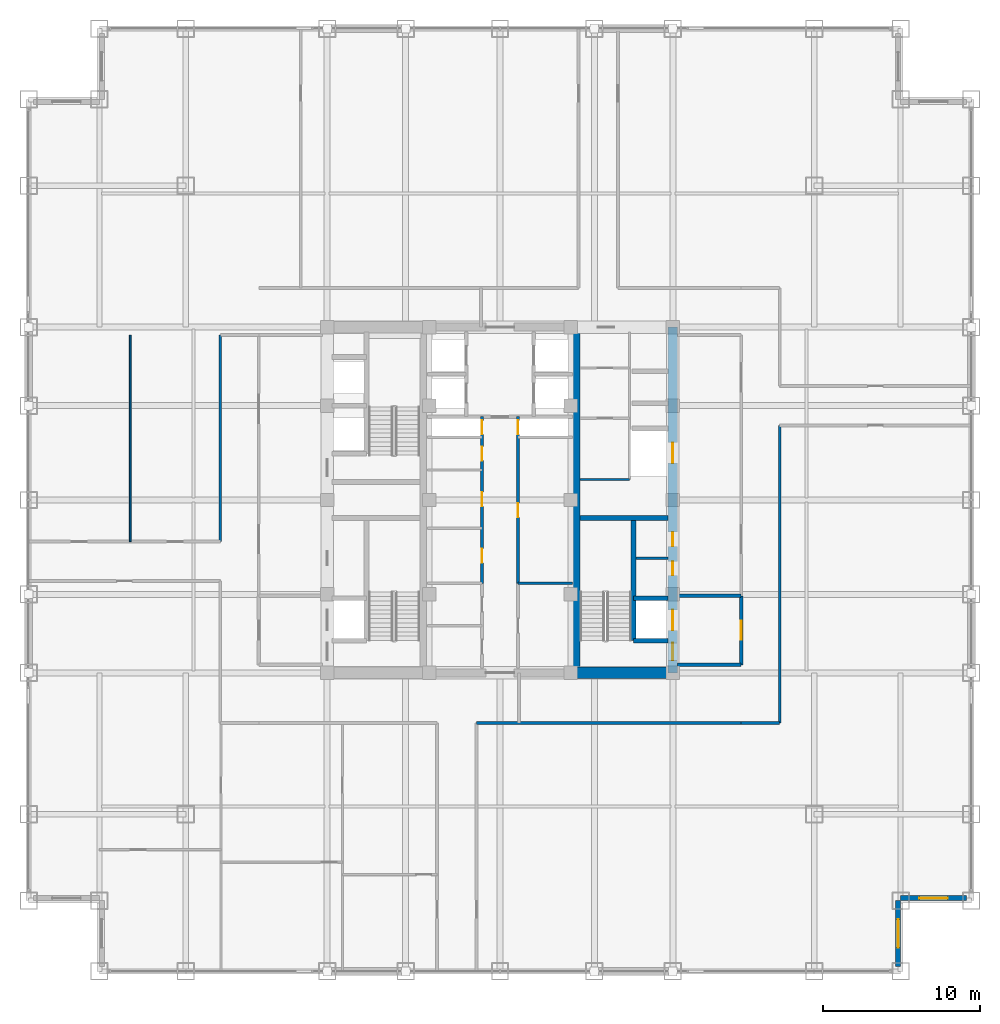
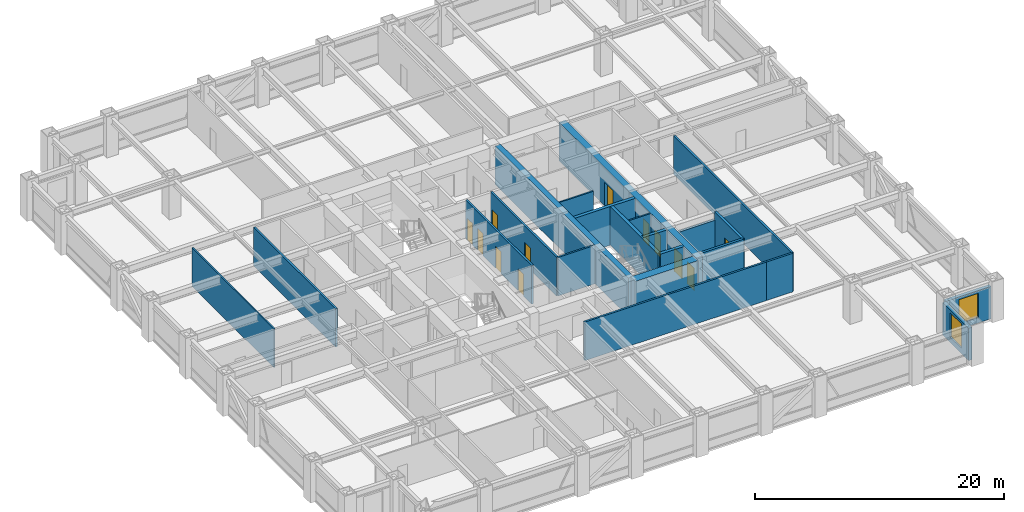
# One storey, part 21 of 24: 22 walls, 12 doors, 2 windows, 14 openings.
"""IFC4 building model written with IfcOpenShell, lengths in metres."""

import ifcopenshell
import ifcopenshell.guid

model = None  # the IFC model being written
_history = None  # IfcOwnerHistory: only IFC2X3 demands one
_inside = {}  # id of a spatial element -> (the spatial element, [elements in it])
_under = {}  # id of a project, library or spatial element -> (it, [spatial elements below it])
_declared = {}  # id of a project -> (the project, [libraries it declares])
_typed = {}  # id of a type object -> (the type object, [elements of that type])
_made_of = {}  # id of a material, layer set ... -> (it, [elements and type objects made of it])


def new_model(schema):
    """Start an empty IFC model of exactly this schema.

    Asked for "IFC4X3", IfcOpenShell would pick the latest addendum, in which some entities
    have other attributes; the version numbers below select the first issue.
    IFC2X3 requires an IfcOwnerHistory on every rooted entity: one is made here for all.
    """
    global model, _history
    if schema == "IFC4X3":
        model = ifcopenshell.file(schema_version=(4, 3, 0, 0))
    else:
        model = ifcopenshell.file(schema=schema)
    _inside.clear()
    _under.clear()
    _declared.clear()
    _typed.clear()
    _made_of.clear()
    _history = None
    if model.schema == "IFC2X3":
        org = make("IfcOrganization", Name="unknown")
        user = make(
            "IfcPersonAndOrganization",
            ThePerson=make("IfcPerson", FamilyName="unknown"),
            TheOrganization=org,
        )
        app = make(
            "IfcApplication",
            ApplicationDeveloper=org,
            Version="unknown",
            ApplicationFullName="unknown",
            ApplicationIdentifier="unknown",
        )
        _history = make(
            "IfcOwnerHistory",
            OwningUser=user,
            OwningApplication=app,
            ChangeAction="ADDED",
            CreationDate=0,
        )
    return model


def make(cls, **values):
    """One entity of the class cls with the attributes given. An attribute that is None is left unset."""
    return model.create_entity(
        cls, **{name: value for name, value in values.items() if value is not None}
    )


def rooted(cls, **values):
    """An entity with a GlobalId (a new one), such as an element, a storey or a relation."""
    return make(cls, GlobalId=ifcopenshell.guid.new(), OwnerHistory=_history, **values)


def si_unit(unit_type, name, prefix=None):
    """IfcSIUnit, for example si_unit("LENGTHUNIT", "METRE", prefix="MILLI")."""
    return make("IfcSIUnit", UnitType=unit_type, Prefix=prefix, Name=name)


def assignment(units):
    """IfcUnitAssignment: the units of a project."""
    return None if units is None else make("IfcUnitAssignment", Units=units)


def point(xyz):
    """IfcCartesianPoint."""
    return None if xyz is None else make("IfcCartesianPoint", Coordinates=xyz)


def direction(xyz):
    """IfcDirection."""
    return None if xyz is None else make("IfcDirection", DirectionRatios=xyz)


def frame(location, z_axis=None, x_axis=None):
    """IfcAxis2Placement3D, a coordinate frame: its origin and axes. An axis left out is left unset."""
    return make(
        "IfcAxis2Placement3D",
        Location=point(location),
        Axis=direction(z_axis),
        RefDirection=direction(x_axis),
    )


def frame_2d(location, x_axis=None):
    """IfcAxis2Placement2D, a coordinate frame in the plane: its origin and x axis."""
    return make(
        "IfcAxis2Placement2D", Location=point(location), RefDirection=direction(x_axis)
    )


def origin():
    """The frame at (0, 0, 0) with its axes left unset."""
    return frame((0.0, 0.0, 0.0))


def place(relative_to, where):
    """IfcLocalPlacement: puts the frame where relative to a parent placement (None: the world)."""
    return make(
        "IfcLocalPlacement", PlacementRelTo=relative_to, RelativePlacement=where
    )


def context(
    kind, dimensions, precision=None, world=None, true_north=None, identifier=None
):
    """IfcGeometricRepresentationContext, for example the 3D "Model" context."""
    return make(
        "IfcGeometricRepresentationContext",
        ContextIdentifier=identifier,
        ContextType=kind,
        CoordinateSpaceDimension=dimensions,
        Precision=precision,
        WorldCoordinateSystem=world,
        TrueNorth=true_north,
    )


def subcontext(parent, identifier, kind, view, scale=None):
    """IfcGeometricRepresentationSubContext, for example "Body" below "Model"."""
    return make(
        "IfcGeometricRepresentationSubContext",
        ContextIdentifier=identifier,
        ContextType=kind,
        ParentContext=parent,
        TargetScale=scale,
        TargetView=view,
    )


def project(units=None, contexts=None):
    """IfcProject with its units and contexts."""
    return rooted(
        "IfcProject",
        Name="project",
        RepresentationContexts=contexts,
        UnitsInContext=assignment(units),
    )


def spatial(cls, under=None, at=None, **own):
    """A site, building, storey or space (cls), placed at a placement, below another one or the project."""
    s = rooted(cls, ObjectPlacement=at, **own)
    if under is not None:
        _under.setdefault(under.id(), (under, []))[1].append(s)
    return s


def profile(cls, at=None, kind="AREA", **sizes):
    """A parametric profile (cls). Its sizes go by their IFC names, for example OverallWidth=200.0."""
    return make(cls, ProfileType=kind, Position=at, **sizes)


def rectangle(**sizes):
    """IfcRectangleProfileDef."""
    return profile("IfcRectangleProfileDef", **sizes)


def extrude(swept, where, along, depth):
    """IfcExtrudedAreaSolid: the profile swept, set in the frame where, extruded along a direction by depth."""
    return make(
        "IfcExtrudedAreaSolid",
        SweptArea=swept,
        Position=where,
        ExtrudedDirection=direction(along),
        Depth=depth,
    )


def shape(context_of_items, identifier, shape_type, items):
    """IfcShapeRepresentation: the items that make up one representation, for example the "Body"."""
    return make(
        "IfcShapeRepresentation",
        ContextOfItems=context_of_items,
        RepresentationIdentifier=identifier,
        RepresentationType=shape_type,
        Items=items,
    )


def source(mapping_origin, context_of_items, identifier, shape_type, items):
    """IfcRepresentationMap: a shape defined once, which mapped items show again and again."""
    return make(
        "IfcRepresentationMap",
        MappingOrigin=mapping_origin,
        MappedRepresentation=shape(context_of_items, identifier, shape_type, items),
    )


def transform(
    local_origin,
    x_axis=None,
    y_axis=None,
    z_axis=None,
    scale=None,
    scale2=None,
    scale3=None,
    uniform=True,
):
    """IfcCartesianTransformationOperator3D, or its non-uniform kind. x_axis, y_axis, z_axis: its Axis1, 2, 3."""
    if uniform:
        return make(
            "IfcCartesianTransformationOperator3D",
            Axis1=direction(x_axis),
            Axis2=direction(y_axis),
            LocalOrigin=point(local_origin),
            Scale=scale,
            Axis3=direction(z_axis),
        )
    return make(
        "IfcCartesianTransformationOperator3DnonUniform",
        Axis1=direction(x_axis),
        Axis2=direction(y_axis),
        LocalOrigin=point(local_origin),
        Scale=scale,
        Axis3=direction(z_axis),
        Scale2=scale2,
        Scale3=scale3,
    )


def mapped(mapping_source, mapping_target):
    """IfcMappedItem: shows the shape of a source again, moved by a transform."""
    return make(
        "IfcMappedItem", MappingSource=mapping_source, MappingTarget=mapping_target
    )


def material(Name=None, Category=None):
    """IfcMaterial."""
    return make("IfcMaterial", Name=Name, Category=Category)


def layer(
    of_material, thickness, ventilated=None, Name=None, Category=None, Priority=None
):
    """IfcMaterialLayer: one layer of a wall or slab, of a material (None: an air gap)."""
    return make(
        "IfcMaterialLayer",
        Material=of_material,
        LayerThickness=thickness,
        IsVentilated=ventilated,
        Name=Name,
        Category=Category,
        Priority=Priority,
    )


def layer_set(layers, Name=None):
    """IfcMaterialLayerSet."""
    return make("IfcMaterialLayerSet", MaterialLayers=layers, LayerSetName=Name)


def made_of(thing, what):
    """Note that an element or type object is made of a material, layer set ...; save() writes the relation."""
    if what is not None:
        _made_of.setdefault(what.id(), (what, []))[1].append(thing)
    return thing


def type_object(cls, material=None, **own):
    """A type object (cls), such as IfcWallType, which elements share."""
    return made_of(rooted(cls, **own), material)


def element(
    cls,
    number,
    at=None,
    inside=None,
    cuts=None,
    type_object=None,
    material=None,
    context=None,
    identifier="Body",
    shape_type=None,
    held_by="IfcProductDefinitionShape",
    body=None,
    shapes=None,
    **own,
):
    """One element of the class cls, such as IfcWall. Its Tag is "e" and its number.

    at: its placement. inside: the storey or other place that contains it. cuts: it is an
    opening in that element (IfcRelVoidsElement). A single representation is given by context,
    identifier, shape_type and body (its items); several are given by shapes. held_by: the class
    of the entity that holds the representations. save() writes the other relations.
    """
    e = rooted(cls, Tag="e%d" % number, ObjectPlacement=at, **own)
    if body is not None:
        shapes = [shape(context, identifier, shape_type, body)]
    if shapes is not None:
        e.Representation = make(held_by, Representations=shapes)
    if inside is not None:
        _inside.setdefault(inside.id(), (inside, []))[1].append(e)
    if cuts is not None:
        rooted(
            "IfcRelVoidsElement", RelatingBuildingElement=cuts, RelatedOpeningElement=e
        )
    if type_object is not None:
        _typed.setdefault(type_object.id(), (type_object, []))[1].append(e)
    return made_of(e, material)


def fill(opening, filler):
    """IfcRelFillsElement: the door or window that sits in an opening."""
    return rooted(
        "IfcRelFillsElement",
        RelatingOpeningElement=opening,
        RelatedBuildingElement=filler,
    )


def aggregate(whole, parts):
    """IfcRelAggregates: a whole, such as a stair, and the parts it consists of."""
    return rooted("IfcRelAggregates", RelatingObject=whole, RelatedObjects=parts)


def save(model, path):
    """Write the relations noted so far, then the file.

    IfcRelAggregates (storeys below a building ...), IfcRelContainedInSpatialStructure (elements
    in a storey), IfcRelDefinesByType, IfcRelAssociatesMaterial and IfcRelDeclares: one each for
    every whole, place, type object, material and project.
    """
    for whole, parts in _under.values():
        aggregate(whole, parts)
    for where, things in _inside.values():
        rooted(
            "IfcRelContainedInSpatialStructure",
            RelatedElements=things,
            RelatingStructure=where,
        )
    for kind, things in _typed.values():
        rooted("IfcRelDefinesByType", RelatedObjects=things, RelatingType=kind)
    for what, things in _made_of.values():
        rooted("IfcRelAssociatesMaterial", RelatedObjects=things, RelatingMaterial=what)
    for by, libraries in _declared.values():
        rooted("IfcRelDeclares", RelatingContext=by, RelatedDefinitions=libraries)
    model.write(path)


model = new_model("IFC4")

# Units and contexts
model_context = context("Model", 3, precision=1e-05, world=origin(), true_north=direction((0.0, 1.0)))
body_context = subcontext(model_context, "Body", "Model", "MODEL_VIEW")
ifc_project = project(units=[si_unit("LENGTHUNIT", "METRE"), si_unit("AREAUNIT", "SQUARE_METRE"), si_unit("VOLUMEUNIT", "CUBIC_METRE"), si_unit("PLANEANGLEUNIT", "RADIAN"), si_unit("MASSUNIT", "GRAM", prefix="KILO")], contexts=[model_context])

# Site, building, storey
site_placement = place(None, origin())
site = spatial("IfcSite", under=ifc_project, at=site_placement, CompositionType="ELEMENT")
building_placement = place(site_placement, origin())
building = spatial("IfcBuilding", under=site, at=building_placement, Name="Khorayat Bourse Tower", CompositionType="ELEMENT")
storey_placement = place(building_placement, frame((0.0, 0.0, 179.10009765625)))
storey = spatial("IfcBuildingStorey", under=building, at=storey_placement, Name="L41", CompositionType="ELEMENT", Elevation=179.10009765625)

# Wall, openings, doors
ifc_material_1 = material(Name="Concrete C60/75", Category="concrete")
ifc_layer_1 = layer(ifc_material_1, 0.60009765625)
ifc_layer_set_1 = layer_set([ifc_layer_1], Name="Concrete C60/75")
wall_type_1 = type_object("IfcWallType", Name="WAL-CORE-600", PredefinedType="SHEAR", material=ifc_layer_set_1)
shared_shape_1 = source(origin(), body_context, "Body", "SweptSolid", [
    extrude(rectangle(XDim=22.0, YDim=0.60009765625, at=frame_2d((11.0, 0.0))), origin(), (0.0, 0.0, 1.0), 3.77978515625),
])
wall_1_placement = place(storey_placement, frame((11.0, -11.0, 0.0), z_axis=(0.0, 0.0, 1.0), x_axis=(0.0, 1.0, 0.0)))
wall_1 = element("IfcWall", 1, at=wall_1_placement, inside=storey, type_object=wall_type_1, Name="L41 Core Shear Wall CORE-E", PredefinedType="SHEAR", context=body_context, shape_type="MappedRepresentation", body=[
    mapped(shared_shape_1, transform((0.0, 0.0, 0.0), scale=1.0)),
])
shared_shape_2 = source(origin(), body_context, "Body", "SweptSolid", [
    extrude(rectangle(XDim=1.10009765625, YDim=2.199951171875, at=frame_2d((0.550048828125, 1.10009765625))), frame((0.0, 0.31005859375, 0.0), z_axis=(0.0, -1.0, 0.0), x_axis=(1.0, 0.0, 0.0)), (0.0, 0.0, 1.0), 0.6201171875),
])
opening_1_placement = place(wall_1_placement, frame((0.800048828125, 0.0, 0.0)))
opening_1 = element("IfcOpeningElement", 2, at=opening_1_placement, cuts=wall_1, Name="Opening DI-01", PredefinedType="OPENING", context=body_context, shape_type="MappedRepresentation", body=[
    mapped(shared_shape_2, transform((0.0, 0.0, 0.0), scale=1.0)),
])
shared_shape_3 = source(origin(), body_context, "Body", "SweptSolid", [
    extrude(rectangle(XDim=0.89990234375, YDim=2.14990234375, at=frame_2d((0.449951171875, 1.074951171875))), frame((0.0, 0.31005859375, 0.0), z_axis=(0.0, -1.0, 0.0), x_axis=(1.0, 0.0, 0.0)), (0.0, 0.0, 1.0), 0.6201171875),
])
opening_2_placement = place(wall_1_placement, frame((6.199951171875, 0.0, 0.0)))
opening_2 = element("IfcOpeningElement", 3, at=opening_2_placement, cuts=wall_1, Name="Opening DI-06", PredefinedType="OPENING", context=body_context, shape_type="MappedRepresentation", body=[
    mapped(shared_shape_3, transform((0.0, 0.0, 0.0), scale=1.0)),
])
opening_3_placement = place(wall_1_placement, frame((8.050048828125, 0.0, 0.0)))
opening_3 = element("IfcOpeningElement", 4, at=opening_3_placement, cuts=wall_1, Name="Opening DI-06", PredefinedType="OPENING", context=body_context, shape_type="MappedRepresentation", body=[
    mapped(shared_shape_3, transform((0.0, 0.0, 0.0), scale=1.0)),
])
shared_shape_4 = source(origin(), body_context, "Body", "SweptSolid", [
    extrude(rectangle(XDim=1.300048828125, YDim=2.300048828125, at=frame_2d((0.64990234375, 1.14990234375))), frame((0.0, 0.31005859375, 0.0), z_axis=(0.0, -1.0, 0.0), x_axis=(1.0, 0.0, 0.0)), (0.0, 0.0, 1.0), 0.6201171875),
])
opening_4_placement = place(wall_1_placement, frame((2.699951171875, 0.0, 0.0)))
opening_4 = element("IfcOpeningElement", 5, at=opening_4_placement, cuts=wall_1, Name="Opening LD-02", PredefinedType="OPENING", context=body_context, shape_type="MappedRepresentation", body=[
    mapped(shared_shape_4, transform((0.0, 0.0, 0.0), scale=1.0)),
])
opening_5_placement = place(wall_1_placement, frame((13.35009765625, 0.0, 0.0)))
opening_5 = element("IfcOpeningElement", 6, at=opening_5_placement, cuts=wall_1, Name="Opening LD-02", PredefinedType="OPENING", context=body_context, shape_type="MappedRepresentation", body=[
    mapped(shared_shape_4, transform((0.0, 0.0, 0.0), scale=1.0)),
])
ifc_material_2 = material(Name="Fire-rated steel acoustic leaf", Category="steel")
door_type_1 = type_object("IfcDoorType", Name="DR-INT-STAIR-1100", OperationType="NOTDEFINED", PredefinedType="DOOR", material=ifc_material_2)
shared_shape_5 = source(origin(), body_context, "Body", "SweptSolid", [
    extrude(rectangle(XDim=1.10009765625, YDim=2.199951171875, at=frame_2d((0.550048828125, 1.10009765625))), frame((0.0, 0.02490234375, 0.0), z_axis=(0.0, -1.0, 0.0), x_axis=(1.0, 0.0, 0.0)), (0.0, 0.0, 1.0), 0.050048828125),
])
door_1_placement = place(opening_1_placement, origin())
door_1 = element("IfcDoor", 7, at=door_1_placement, inside=storey, type_object=door_type_1, Name="L41 Exit Stair 3 Door", OperationType="SINGLE_SWING_LEFT", OverallHeight=2.199951171875, OverallWidth=1.10009765625, PredefinedType="DOOR", context=body_context, shape_type="MappedRepresentation", body=[
    mapped(shared_shape_5, transform((0.0, 0.0, 0.0), scale=1.0)),
])
fill(opening_1, door_1)
ifc_material_3 = material(Name="Moisture-resistant laminate washroom door")
door_type_2 = type_object("IfcDoorType", Name="DR-INT-WC-900", OperationType="NOTDEFINED", PredefinedType="DOOR", material=ifc_material_3)
shared_shape_6 = source(origin(), body_context, "Body", "SweptSolid", [
    extrude(rectangle(XDim=0.89990234375, YDim=2.14990234375, at=frame_2d((0.449951171875, 1.074951171875))), frame((0.0, 0.02490234375, 0.0), z_axis=(0.0, -1.0, 0.0), x_axis=(1.0, 0.0, 0.0)), (0.0, 0.0, 1.0), 0.050048828125),
])
door_2_placement = place(opening_2_placement, origin())
door_2 = element("IfcDoor", 8, at=door_2_placement, inside=storey, type_object=door_type_2, Name="L41 Comms Closet Door", OperationType="SINGLE_SWING_LEFT", OverallHeight=2.14990234375, OverallWidth=0.89990234375, PredefinedType="DOOR", context=body_context, shape_type="MappedRepresentation", body=[
    mapped(shared_shape_6, transform((0.0, 0.0, 0.0), scale=1.0)),
])
fill(opening_2, door_2)
door_3_placement = place(opening_3_placement, origin())
door_3 = element("IfcDoor", 9, at=door_3_placement, inside=storey, type_object=door_type_2, Name="L41 Cleaner Store Door", OperationType="SINGLE_SWING_RIGHT", OverallHeight=2.14990234375, OverallWidth=0.89990234375, PredefinedType="DOOR", context=body_context, shape_type="MappedRepresentation", body=[
    mapped(shared_shape_6, transform((0.0, 0.0, 0.0), scale=1.0)),
])
fill(opening_3, door_3)
ifc_material_4 = material(Name="Fire-rated stainless-steel sliding landing door", Category="steel")
door_type_3 = type_object("IfcDoorType", Name="DR-LIFT-FF-1300", OperationType="NOTDEFINED", PredefinedType="DOOR", material=ifc_material_4)
shared_shape_7 = source(origin(), body_context, "Body", "SweptSolid", [
    extrude(rectangle(XDim=1.300048828125, YDim=2.300048828125, at=frame_2d((0.64990234375, 1.14990234375))), frame((0.0, 0.02490234375, 0.0), z_axis=(0.0, -1.0, 0.0), x_axis=(1.0, 0.0, 0.0)), (0.0, 0.0, 1.0), 0.050048828125),
])
door_4_placement = place(opening_4_placement, origin())
door_4 = element("IfcDoor", 10, at=door_4_placement, inside=storey, type_object=door_type_3, Name="L41 Lift FFL-02 Sliding Landing Door", OperationType="SLIDING_TO_LEFT", OverallHeight=2.300048828125, OverallWidth=1.300048828125, PredefinedType="DOOR", context=body_context, shape_type="MappedRepresentation", body=[
    mapped(shared_shape_7, transform((0.0, 0.0, 0.0), scale=1.0)),
])
fill(opening_4, door_4)
door_5_placement = place(opening_5_placement, origin())
door_5 = element("IfcDoor", 11, at=door_5_placement, inside=storey, type_object=door_type_3, Name="L41 Lift SVL-01 Sliding Landing Door", OperationType="SLIDING_TO_LEFT", OverallHeight=2.300048828125, OverallWidth=1.300048828125, PredefinedType="DOOR", context=body_context, shape_type="MappedRepresentation", body=[
    mapped(shared_shape_7, transform((0.0, 0.0, 0.0), scale=1.0)),
])
fill(opening_5, door_5)

# Walls
ifc_material_5 = material(Name="Concrete C52/65", Category="concrete")
ifc_layer_2 = layer(ifc_material_5, 0.5)
ifc_layer_set_2 = layer_set([ifc_layer_2], Name="Concrete C52/65")
wall_type_2 = type_object("IfcWallType", Name="WAL-CORE-500", PredefinedType="SHEAR", material=ifc_layer_set_2)
shared_shape_8 = source(origin(), body_context, "Body", "SweptSolid", [
    extrude(rectangle(XDim=21.39990234375, YDim=0.5, at=frame_2d((10.699951171875, 0.0))), origin(), (0.0, 0.0, 1.0), 3.77978515625),
])
wall_2_placement = place(storey_placement, frame((4.85009765625, -10.699951171875, 0.0), z_axis=(0.0, 0.0, 1.0), x_axis=(0.0, 1.0, 0.0)))
element("IfcWall", 12, at=wall_2_placement, inside=storey, type_object=wall_type_2, Name="L41 Core Shear Wall PIER-E", PredefinedType="SHEAR", context=body_context, shape_type="MappedRepresentation", body=[
    mapped(shared_shape_8, transform((0.0, 0.0, 0.0), scale=1.0)),
])
ifc_material_6 = material(Name="Concrete C72/90", Category="concrete")
ifc_layer_3 = layer(ifc_material_6, 0.75)
ifc_layer_set_3 = layer_set([ifc_layer_3], Name="Concrete C72/90")
wall_type_3 = type_object("IfcWallType", Name="WAL-CORE-750", PredefinedType="SHEAR", material=ifc_layer_set_3)
shared_shape_9 = source(origin(), body_context, "Body", "SweptSolid", [
    extrude(rectangle(XDim=5.849853515625, YDim=0.75, at=frame_2d((2.9248046875, 0.0))), origin(), (0.0, 0.0, 1.0), 3.77978515625),
])
wall_3_placement = place(storey_placement, frame((4.85009765625, -11.0, 0.0), z_axis=(0.0, 0.0, 1.0), x_axis=(1.0, 0.0, 0.0)))
element("IfcWall", 13, at=wall_3_placement, inside=storey, type_object=wall_type_3, Name="L41 Core Shear Wall PIER-ES", PredefinedType="SHEAR", context=body_context, shape_type="MappedRepresentation", body=[
    mapped(shared_shape_9, transform((0.0, 0.0, 0.0), scale=1.0)),
])
ifc_material_7 = material(Name="Concrete C50/60", Category="concrete")
ifc_layer_4 = layer(ifc_material_7, 0.300048828125)
ifc_layer_set_4 = layer_set([ifc_layer_4], Name="Concrete C50/60")
wall_type_4 = type_object("IfcWallType", Name="WAL-SHAFT-300", PredefinedType="SHEAR", material=ifc_layer_set_4)
shared_shape_10 = source(origin(), body_context, "Body", "SweptSolid", [
    extrude(rectangle(XDim=5.599853515625, YDim=0.300048828125, at=frame_2d((2.7998046875, 0.0))), origin(), (0.0, 0.0, 1.0), 3.77978515625),
])
wall_4_placement = place(storey_placement, frame((5.10009765625, -1.14990234375, 0.0), z_axis=(0.0, 0.0, 1.0), x_axis=(1.0, 0.0, 0.0)))
element("IfcWall", 14, at=wall_4_placement, inside=storey, type_object=wall_type_4, Name="L41 Core Shear Wall ST3-DIV", PredefinedType="SHEAR", context=body_context, shape_type="MappedRepresentation", body=[
    mapped(shared_shape_10, transform((0.0, 0.0, 0.0), scale=1.0)),
])

# Wall, opening, window
ifc_material_8 = material(Name="Precast concrete C45/55", Category="concrete")
ifc_layer_5 = layer(ifc_material_8, 0.320068359375)
ifc_layer_set_5 = layer_set([ifc_layer_5], Name="Precast concrete C45/55")
wall_type_5 = type_object("IfcWallType", Name="WAL-EXT-STONE-320", PredefinedType="STANDARD", material=ifc_layer_set_5)
shared_shape_11 = source(origin(), body_context, "Body", "SweptSolid", [
    extrude(rectangle(XDim=4.179931640625, YDim=0.320068359375, at=frame_2d((2.08984375, 0.0))), origin(), (0.0, 0.0, 1.0), 3.163818359375),
])
wall_5_placement = place(storey_placement, frame((25.340087890625, -29.679931640625, 0.0), z_axis=(0.0, 0.0, 1.0), x_axis=(0.0, 1.0, 0.0)))
wall_5 = element("IfcWall", 15, at=wall_5_placement, inside=storey, type_object=wall_type_5, Name="L41 Re-Entrant Notch Limestone Wall SE-V", PredefinedType="STANDARD", context=body_context, shape_type="MappedRepresentation", body=[
    mapped(shared_shape_11, transform((0.0, 0.0, 0.0), scale=1.0)),
])
shared_shape_12 = source(origin(), body_context, "Body", "SweptSolid", [
    extrude(rectangle(XDim=1.800048828125, YDim=2.39990234375, at=frame_2d((0.89990234375, 1.199951171875))), frame((0.0, 0.169921875, 0.0), z_axis=(0.0, -1.0, 0.0), x_axis=(1.0, 0.0, 0.0)), (0.0, 0.0, 1.0), 0.340087890625),
])
opening_6_placement = place(wall_5_placement, frame((1.18994140625, 0.0, 0.5)))
opening_6 = element("IfcOpeningElement", 16, at=opening_6_placement, cuts=wall_5, Name="Opening WN-04", PredefinedType="OPENING", context=body_context, shape_type="MappedRepresentation", body=[
    mapped(shared_shape_12, transform((0.0, 0.0, 0.0), scale=1.0)),
])
ifc_material_9 = material(Name="Low-E acoustic laminated double glazing", Category="glass")
window_type = type_object("IfcWindowType", Name="WIN-NOTCH-1800x2400", PartitioningType="SINGLE_PANEL", PredefinedType="WINDOW", material=ifc_material_9)
shared_shape_13 = source(origin(), body_context, "Body", "SweptSolid", [
    extrude(rectangle(XDim=1.800048828125, YDim=2.39990234375, at=frame_2d((0.89990234375, 1.199951171875))), frame((0.0, 0.030029296875, 0.0), z_axis=(0.0, -1.0, 0.0), x_axis=(1.0, 0.0, 0.0)), (0.0, 0.0, 1.0), 0.06005859375),
])
window_1_placement = place(opening_6_placement, origin())
window_1 = element("IfcWindow", 17, at=window_1_placement, inside=storey, type_object=window_type, Name="L41 Facade Window 1", OverallHeight=2.39990234375, OverallWidth=1.800048828125, PartitioningType="SINGLE_PANEL", PredefinedType="WINDOW", context=body_context, shape_type="MappedRepresentation", body=[
    mapped(shared_shape_13, transform((0.0, 0.0, 0.0), scale=1.0)),
])
fill(opening_6, window_1)

wall_6_placement = place(storey_placement, frame((25.5, -25.340087890625, 0.0), z_axis=(0.0, 0.0, 1.0), x_axis=(1.0, 0.0, 0.0)))
wall_6 = element("IfcWall", 18, at=wall_6_placement, inside=storey, type_object=wall_type_5, Name="L41 Re-Entrant Notch Limestone Wall SE-H", PredefinedType="STANDARD", context=body_context, shape_type="MappedRepresentation", body=[
    mapped(shared_shape_11, transform((0.0, 0.0, 0.0), scale=1.0)),
])
opening_7_placement = place(wall_6_placement, frame((1.18994140625, 0.0, 0.5)))
opening_7 = element("IfcOpeningElement", 19, at=opening_7_placement, cuts=wall_6, Name="Opening WN-04", PredefinedType="OPENING", context=body_context, shape_type="MappedRepresentation", body=[
    mapped(shared_shape_12, transform((0.0, 0.0, 0.0), scale=1.0)),
])
window_2_placement = place(opening_7_placement, origin())
window_2 = element("IfcWindow", 20, at=window_2_placement, inside=storey, type_object=window_type, Name="L41 Facade Window 1", OverallHeight=2.39990234375, OverallWidth=1.800048828125, PartitioningType="SINGLE_PANEL", PredefinedType="WINDOW", context=body_context, shape_type="MappedRepresentation", body=[
    mapped(shared_shape_13, transform((0.0, 0.0, 0.0), scale=1.0)),
])
fill(opening_7, window_2)

# Walls
shared_shape_14 = source(origin(), body_context, "Body", "SweptSolid", [
    extrude(rectangle(XDim=7.800048828125, YDim=0.300048828125, at=frame_2d((3.89990234375, 0.0))), origin(), (0.0, 0.0, 1.0), 3.77978515625),
])
wall_7_placement = place(storey_placement, frame((8.5, -8.949951171875, 0.0), z_axis=(0.0, 0.0, 1.0), x_axis=(0.0, 1.0, 0.0)))
element("IfcWall", 21, at=wall_7_placement, inside=storey, type_object=wall_type_4, Name="L41 Partition WAL-L41-EPIER-SP", PredefinedType="SHEAR", context=body_context, shape_type="MappedRepresentation", body=[
    mapped(shared_shape_14, transform((0.0, 0.0, 0.0), scale=1.0)),
])
shared_shape_15 = source(origin(), body_context, "Body", "SweptSolid", [
    extrude(rectangle(XDim=2.199951171875, YDim=0.300048828125, at=frame_2d((1.10009765625, 0.0))), origin(), (0.0, 0.0, 1.0), 3.77978515625),
])
for number, where, z_axis, x_axis, name in (
    (22, (8.5, -8.949951171875, 0.0), (0.0, 0.0, 1.0), (1.0, 0.0, 0.0), "L41 Partition WAL-L41-EPIER-FF2S"),
    (23, (8.5, -6.25, 0.0), (0.0, 0.0, 1.0), (1.0, 0.0, 0.0), "L41 Partition WAL-L41-EPIER-FF2N"),
):
    element("IfcWall", number, at=place(storey_placement, frame(where, z_axis=z_axis, x_axis=x_axis)), inside=storey, type_object=wall_type_4, Name=name, PredefinedType="SHEAR", context=body_context, shape_type="MappedRepresentation", body=[
        mapped(shared_shape_15, transform((0.0, 0.0, 0.0), scale=1.0)),
    ])
ifc_material_10 = material(Name="Gypsum plasterboard twin-frame partition")
ifc_layer_6 = layer(ifc_material_10, 0.14990234375)
ifc_layer_set_6 = layer_set([ifc_layer_6], Name="Gypsum plasterboard twin-frame partition")
wall_type_6 = type_object("IfcWallType", Name="WAL-PART-SUITE-150", PredefinedType="PARTITIONING", material=ifc_layer_set_6)
shared_shape_16 = source(origin(), body_context, "Body", "SweptSolid", [
    extrude(rectangle(XDim=2.050048828125, YDim=0.14990234375, at=frame_2d((1.02490234375, 0.0))), origin(), (0.0, 0.0, 1.0), 3.77978515625),
])
wall_8_placement = place(storey_placement, frame((8.64990234375, -3.699951171875, 0.0), z_axis=(0.0, 0.0, 1.0), x_axis=(1.0, 0.0, 0.0)))
element("IfcWall", 24, at=wall_8_placement, inside=storey, type_object=wall_type_6, Name="L41 Partition WAL-L41-ESRV-D1", PredefinedType="PARTITIONING", context=body_context, shape_type="MappedRepresentation", body=[
    mapped(shared_shape_16, transform((0.0, 0.0, 0.0), scale=1.0)),
])
ifc_material_11 = material(Name="Moisture-resistant masonry partition", Category="masonry")
ifc_layer_7 = layer(ifc_material_11, 0.139892578125)
ifc_layer_set_7 = layer_set([ifc_layer_7], Name="Moisture-resistant masonry partition")
wall_type_7 = type_object("IfcWallType", Name="WAL-PART-WET-140", PredefinedType="PARTITIONING", material=ifc_layer_set_7)
shared_shape_17 = source(origin(), body_context, "Body", "SweptSolid", [
    extrude(rectangle(XDim=3.14990234375, YDim=0.139892578125, at=frame_2d((1.574951171875, 0.0))), origin(), (0.0, 0.0, 1.0), 3.77978515625),
])
wall_9_placement = place(storey_placement, frame((5.10009765625, 1.300048828125, 0.0), z_axis=(0.0, 0.0, 1.0), x_axis=(1.0, 0.0, 0.0)))
element("IfcWall", 25, at=wall_9_placement, inside=storey, type_object=wall_type_7, Name="L41 Partition WAL-L41-ECORE-S", PredefinedType="PARTITIONING", context=body_context, shape_type="MappedRepresentation", body=[
    mapped(shared_shape_17, transform((0.0, 0.0, 0.0), scale=1.0)),
])
ifc_material_12 = material(Name="Aerated concrete blockwork", Category="masonry")
ifc_layer_8 = layer(ifc_material_12, 0.219970703125)
ifc_layer_set_8 = layer_set([ifc_layer_8], Name="Aerated concrete blockwork")
wall_type_8 = type_object("IfcWallType", Name="WAL-PART-FF-220", PredefinedType="PARTITIONING", material=ifc_layer_set_8)
shared_shape_18 = source(origin(), body_context, "Body", "SweptSolid", [
    extrude(rectangle(XDim=4.050048828125, YDim=0.219970703125, at=frame_2d((2.02490234375, 0.0))), origin(), (0.0, 0.0, 1.0), 3.77978515625),
])
wall_10_placement = place(storey_placement, frame((11.300048828125, -10.5, 0.0), z_axis=(0.0, 0.0, 1.0), x_axis=(1.0, 0.0, 0.0)))
element("IfcWall", 26, at=wall_10_placement, inside=storey, type_object=wall_type_8, Name="L41 Partition WAL-L41-FFLE-S", PredefinedType="PARTITIONING", context=body_context, shape_type="MappedRepresentation", body=[
    mapped(shared_shape_18, transform((0.0, 0.0, 0.0), scale=1.0)),
])
shared_shape_19 = source(origin(), body_context, "Body", "SweptSolid", [
    extrude(rectangle(XDim=4.050048828125, YDim=0.219970703125, at=frame_2d((2.02490234375, 0.0))), origin(), (0.0, 0.0, 1.0), 3.0068359375),
])
wall_11_placement = place(storey_placement, frame((11.300048828125, -6.10009765625, 0.0), z_axis=(0.0, 0.0, 1.0), x_axis=(1.0, 0.0, 0.0)))
element("IfcWall", 27, at=wall_11_placement, inside=storey, type_object=wall_type_8, Name="L41 Partition WAL-L41-FFLE-N", PredefinedType="PARTITIONING", context=body_context, shape_type="MappedRepresentation", body=[
    mapped(shared_shape_19, transform((0.0, 0.0, 0.0), scale=1.0)),
])

# Wall, opening, door
shared_shape_20 = source(origin(), body_context, "Body", "SweptSolid", [
    extrude(rectangle(XDim=4.39990234375, YDim=0.219970703125, at=frame_2d((2.199951171875, 0.0))), origin(), (0.0, 0.0, 1.0), 3.77978515625),
])
wall_12_placement = place(storey_placement, frame((15.35009765625, -10.5, 0.0), z_axis=(0.0, 0.0, 1.0), x_axis=(0.0, 1.0, 0.0)))
wall_12 = element("IfcWall", 28, at=wall_12_placement, inside=storey, type_object=wall_type_8, Name="L41 Partition WAL-L41-FFLE-E", PredefinedType="PARTITIONING", context=body_context, shape_type="MappedRepresentation", body=[
    mapped(shared_shape_20, transform((0.0, 0.0, 0.0), scale=1.0)),
])
shared_shape_21 = source(origin(), body_context, "Body", "SweptSolid", [
    extrude(rectangle(XDim=1.199951171875, YDim=2.199951171875, at=frame_2d((0.60009765625, 1.10009765625))), frame((0.0, 0.119873046875, 0.0), z_axis=(0.0, -1.0, 0.0), x_axis=(1.0, 0.0, 0.0)), (0.0, 0.0, 1.0), 0.239990234375),
])
opening_8_placement = place(wall_12_placement, frame((1.60009765625, 0.0, 0.0)))
opening_8 = element("IfcOpeningElement", 29, at=opening_8_placement, cuts=wall_12, Name="Opening DI-02", PredefinedType="OPENING", context=body_context, shape_type="MappedRepresentation", body=[
    mapped(shared_shape_21, transform((0.0, 0.0, 0.0), scale=1.0)),
])
ifc_material_13 = material(Name="Fire-rated steel double-seal leaf", Category="steel")
door_type_4 = type_object("IfcDoorType", Name="DR-INT-FFLOBBY-1200", OperationType="NOTDEFINED", PredefinedType="DOOR", material=ifc_material_13)
shared_shape_22 = source(origin(), body_context, "Body", "SweptSolid", [
    extrude(rectangle(XDim=1.199951171875, YDim=2.199951171875, at=frame_2d((0.60009765625, 1.10009765625))), frame((0.0, 0.02490234375, 0.0), z_axis=(0.0, -1.0, 0.0), x_axis=(1.0, 0.0, 0.0)), (0.0, 0.0, 1.0), 0.050048828125),
])
door_6_placement = place(opening_8_placement, origin())
door_6 = element("IfcDoor", 30, at=door_6_placement, inside=storey, type_object=door_type_4, Name="L41 East Firefighting Lobby Door", OperationType="SINGLE_SWING_RIGHT", OverallHeight=2.199951171875, OverallWidth=1.199951171875, PredefinedType="DOOR", context=body_context, shape_type="MappedRepresentation", body=[
    mapped(shared_shape_22, transform((0.0, 0.0, 0.0), scale=1.0)),
])
fill(opening_8, door_6)

# Wall
shared_shape_23 = source(origin(), body_context, "Body", "SweptSolid", [
    extrude(rectangle(XDim=3.4501953125, YDim=0.14990234375, at=frame_2d((1.72509765625, 0.0))), origin(), (0.0, 0.0, 1.0), 3.77978515625),
])
wall_13_placement = place(storey_placement, frame((1.14990234375, -5.300048828125, 0.0), z_axis=(0.0, 0.0, 1.0), x_axis=(1.0, 0.0, 0.0)))
element("IfcWall", 31, at=wall_13_placement, inside=storey, type_object=wall_type_6, Name="L41 Partition WAL-L41-FB1-NE", PredefinedType="PARTITIONING", context=body_context, shape_type="MappedRepresentation", body=[
    mapped(shared_shape_23, transform((0.0, 0.0, 0.0), scale=1.0)),
])

# Wall, openings, doors
ifc_material_14 = material(Name="Gypsum plasterboard acoustic stud wall")
ifc_layer_9 = layer(ifc_material_14, 0.179931640625)
ifc_layer_set_9 = layer_set([ifc_layer_9], Name="Gypsum plasterboard acoustic stud wall")
wall_type_9 = type_object("IfcWallType", Name="WAL-PART-CORR-180", PredefinedType="PARTITIONING", material=ifc_layer_set_9)
shared_shape_24 = source(origin(), body_context, "Body", "SweptSolid", [
    extrude(rectangle(XDim=10.60009765625, YDim=0.179931640625, at=frame_2d((5.300048828125, 0.0))), origin(), (0.0, 0.0, 1.0), 3.77978515625),
])
wall_14_placement = place(storey_placement, frame((-1.14990234375, -5.300048828125, 0.0), z_axis=(0.0, 0.0, 1.0), x_axis=(0.0, 1.0, 0.0)))
wall_14 = element("IfcWall", 32, at=wall_14_placement, inside=storey, type_object=wall_type_9, Name="L41 Partition WAL-L41-CMW-L", PredefinedType="PARTITIONING", context=body_context, shape_type="MappedRepresentation", body=[
    mapped(shared_shape_24, transform((0.0, 0.0, 0.0), scale=1.0)),
])
shared_shape_25 = source(origin(), body_context, "Body", "SweptSolid", [
    extrude(rectangle(XDim=0.89990234375, YDim=2.14990234375, at=frame_2d((0.449951171875, 1.074951171875))), frame((0.0, 0.099853515625, 0.0), z_axis=(0.0, -1.0, 0.0), x_axis=(1.0, 0.0, 0.0)), (0.0, 0.0, 1.0), 0.199951171875),
])
opening_9_placement = place(wall_14_placement, frame((1.300048828125, 0.0, 0.0)))
opening_9 = element("IfcOpeningElement", 33, at=opening_9_placement, cuts=wall_14, Name="Opening DI-06", PredefinedType="OPENING", context=body_context, shape_type="MappedRepresentation", body=[
    mapped(shared_shape_25, transform((0.0, 0.0, 0.0), scale=1.0)),
])
opening_10_placement = place(wall_14_placement, frame((4.89990234375, 0.0, 0.0)))
opening_10 = element("IfcOpeningElement", 34, at=opening_10_placement, cuts=wall_14, Name="Opening DI-06", PredefinedType="OPENING", context=body_context, shape_type="MappedRepresentation", body=[
    mapped(shared_shape_25, transform((0.0, 0.0, 0.0), scale=1.0)),
])
opening_11_placement = place(wall_14_placement, frame((7.800048828125, 0.0, 0.0)))
opening_11 = element("IfcOpeningElement", 35, at=opening_11_placement, cuts=wall_14, Name="Opening DI-06", PredefinedType="OPENING", context=body_context, shape_type="MappedRepresentation", body=[
    mapped(shared_shape_25, transform((0.0, 0.0, 0.0), scale=1.0)),
])
opening_12_placement = place(wall_14_placement, frame((9.47509765625, 0.0, 0.0)))
opening_12 = element("IfcOpeningElement", 36, at=opening_12_placement, cuts=wall_14, Name="Opening DI-06", PredefinedType="OPENING", context=body_context, shape_type="MappedRepresentation", body=[
    mapped(shared_shape_25, transform((0.0, 0.0, 0.0), scale=1.0)),
])
door_7_placement = place(opening_9_placement, origin())
door_7 = element("IfcDoor", 37, at=door_7_placement, inside=storey, type_object=door_type_2, Name="L41 Male Core Washroom Door", OperationType="SINGLE_SWING_RIGHT", OverallHeight=2.14990234375, OverallWidth=0.89990234375, PredefinedType="DOOR", context=body_context, shape_type="MappedRepresentation", body=[
    mapped(shared_shape_6, transform((0.0, 0.0, 0.0), scale=1.0)),
])
fill(opening_9, door_7)
door_8_placement = place(opening_10_placement, origin())
door_8 = element("IfcDoor", 38, at=door_8_placement, inside=storey, type_object=door_type_2, Name="L41 AHU Fan Plant Room Door", OperationType="SINGLE_SWING_LEFT", OverallHeight=2.14990234375, OverallWidth=0.89990234375, PredefinedType="DOOR", context=body_context, shape_type="MappedRepresentation", body=[
    mapped(shared_shape_6, transform((0.0, 0.0, 0.0), scale=1.0)),
])
fill(opening_10, door_8)
door_9_placement = place(opening_11_placement, origin())
door_9 = element("IfcDoor", 39, at=door_9_placement, inside=storey, type_object=door_type_2, Name="L41 Janitor Store Door", OperationType="SINGLE_SWING_RIGHT", OverallHeight=2.14990234375, OverallWidth=0.89990234375, PredefinedType="DOOR", context=body_context, shape_type="MappedRepresentation", body=[
    mapped(shared_shape_6, transform((0.0, 0.0, 0.0), scale=1.0)),
])
fill(opening_11, door_9)
door_10_placement = place(opening_12_placement, origin())
door_10 = element("IfcDoor", 40, at=door_10_placement, inside=storey, type_object=door_type_2, Name="L41 West Core Riser Door", OperationType="SINGLE_SWING_LEFT", OverallHeight=2.14990234375, OverallWidth=0.89990234375, PredefinedType="DOOR", context=body_context, shape_type="MappedRepresentation", body=[
    mapped(shared_shape_6, transform((0.0, 0.0, 0.0), scale=1.0)),
])
fill(opening_12, door_10)

wall_15_placement = place(storey_placement, frame((1.14990234375, -5.300048828125, 0.0), z_axis=(0.0, 0.0, 1.0), x_axis=(0.0, 1.0, 0.0)))
wall_15 = element("IfcWall", 41, at=wall_15_placement, inside=storey, type_object=wall_type_9, Name="L41 Partition WAL-L41-CME-L", PredefinedType="PARTITIONING", context=body_context, shape_type="MappedRepresentation", body=[
    mapped(shared_shape_24, transform((0.0, 0.0, 0.0), scale=1.0)),
])
opening_13_placement = place(wall_15_placement, frame((4.199951171875, 0.0, 0.0)))
opening_13 = element("IfcOpeningElement", 42, at=opening_13_placement, cuts=wall_15, Name="Opening DI-06", PredefinedType="OPENING", context=body_context, shape_type="MappedRepresentation", body=[
    mapped(shared_shape_25, transform((0.0, 0.0, 0.0), scale=1.0)),
])
opening_14_placement = place(wall_15_placement, frame((9.47509765625, 0.0, 0.0)))
opening_14 = element("IfcOpeningElement", 43, at=opening_14_placement, cuts=wall_15, Name="Opening DI-06", PredefinedType="OPENING", context=body_context, shape_type="MappedRepresentation", body=[
    mapped(shared_shape_25, transform((0.0, 0.0, 0.0), scale=1.0)),
])
door_11_placement = place(opening_13_placement, origin())
door_11 = element("IfcDoor", 44, at=door_11_placement, inside=storey, type_object=door_type_2, Name="L41 Female Core Washroom Door", OperationType="SINGLE_SWING_RIGHT", OverallHeight=2.14990234375, OverallWidth=0.89990234375, PredefinedType="DOOR", context=body_context, shape_type="MappedRepresentation", body=[
    mapped(shared_shape_6, transform((0.0, 0.0, 0.0), scale=1.0)),
])
fill(opening_13, door_11)
door_12_placement = place(opening_14_placement, origin())
door_12 = element("IfcDoor", 45, at=door_12_placement, inside=storey, type_object=door_type_2, Name="L41 East Core Riser Door", OperationType="SINGLE_SWING_RIGHT", OverallHeight=2.14990234375, OverallWidth=0.89990234375, PredefinedType="DOOR", context=body_context, shape_type="MappedRepresentation", body=[
    mapped(shared_shape_6, transform((0.0, 0.0, 0.0), scale=1.0)),
])
fill(opening_14, door_12)

# Walls
shared_shape_26 = source(origin(), body_context, "Body", "SweptSolid", [
    extrude(rectangle(XDim=2.449951171875, YDim=0.179931640625, at=frame_2d((1.22509765625, 0.0))), origin(), (0.0, 0.0, 1.0), 3.77978515625),
])
wall_16_placement = place(storey_placement, frame((15.35009765625, -14.199951171875, 0.0), z_axis=(0.0, 0.0, 1.0), x_axis=(1.0, 0.0, 0.0)))
element("IfcWall", 46, at=wall_16_placement, inside=storey, type_object=wall_type_9, Name="L41 Partition WAL-L41-C2-ES", PredefinedType="PARTITIONING", context=body_context, shape_type="MappedRepresentation", body=[
    mapped(shared_shape_26, transform((0.0, 0.0, 0.0), scale=1.0)),
])
shared_shape_27 = source(origin(), body_context, "Body", "SweptSolid", [
    extrude(rectangle(XDim=16.85009765625, YDim=0.179931640625, at=frame_2d((8.425048828125, 0.0))), origin(), (0.0, 0.0, 1.0), 3.77978515625),
])
wall_17_placement = place(storey_placement, frame((-1.5, -14.199951171875, 0.0), z_axis=(0.0, 0.0, 1.0), x_axis=(1.0, 0.0, 0.0)))
element("IfcWall", 47, at=wall_17_placement, inside=storey, type_object=wall_type_9, Name="L41 Partition WAL-L41-QSE-HC", PredefinedType="PARTITIONING", context=body_context, shape_type="MappedRepresentation", body=[
    mapped(shared_shape_27, transform((0.0, 0.0, 0.0), scale=1.0)),
])
ifc_material_15 = material(Name="Gypsum plasterboard partition")
ifc_layer_10 = layer(ifc_material_15, 0.125)
ifc_layer_set_10 = layer_set([ifc_layer_10], Name="Gypsum plasterboard partition")
wall_type_10 = type_object("IfcWallType", Name="WAL-PART-ROOM-125", PredefinedType="PARTITIONING", material=ifc_layer_set_10)
shared_shape_28 = source(origin(), body_context, "Body", "SweptSolid", [
    extrude(rectangle(XDim=13.14990234375, YDim=0.125, at=frame_2d((6.574951171875, 0.0))), origin(), (0.0, 0.0, 1.0), 3.77978515625),
])
wall_18_placement = place(storey_placement, frame((-23.533935546875, -2.64990234375, 0.0), z_axis=(0.0, 0.0, 1.0), x_axis=(0.0, 1.0, 0.0)))
element("IfcWall", 48, at=wall_18_placement, inside=storey, type_object=wall_type_10, Name="L41 Partition WAL-L41-WN-DV", PredefinedType="PARTITIONING", context=body_context, shape_type="MappedRepresentation", body=[
    mapped(shared_shape_28, transform((0.0, 0.0, 0.0), scale=1.0)),
])
shared_shape_29 = source(origin(), body_context, "Body", "SweptSolid", [
    extrude(rectangle(XDim=13.14990234375, YDim=0.179931640625, at=frame_2d((6.574951171875, 0.0))), origin(), (0.0, 0.0, 1.0), 3.77978515625),
])
wall_19_placement = place(storey_placement, frame((-17.800048828125, -2.64990234375, 0.0), z_axis=(0.0, 0.0, 1.0), x_axis=(0.0, 1.0, 0.0)))
element("IfcWall", 49, at=wall_19_placement, inside=storey, type_object=wall_type_9, Name="L41 Partition WAL-L41-WN-IN", PredefinedType="PARTITIONING", context=body_context, shape_type="MappedRepresentation", body=[
    mapped(shared_shape_29, transform((0.0, 0.0, 0.0), scale=1.0)),
])
shared_shape_30 = source(origin(), body_context, "Body", "SweptSolid", [
    extrude(rectangle(XDim=18.949951171875, YDim=0.179931640625, at=frame_2d((9.47509765625, 0.0))), origin(), (0.0, 0.0, 1.0), 3.77978515625),
])
wall_20_placement = place(storey_placement, frame((17.800048828125, -14.199951171875, 0.0), z_axis=(0.0, 0.0, 1.0), x_axis=(0.0, 1.0, 0.0)))
element("IfcWall", 50, at=wall_20_placement, inside=storey, type_object=wall_type_9, Name="L41 Partition WAL-L41-ES-IN", PredefinedType="PARTITIONING", context=body_context, shape_type="MappedRepresentation", body=[
    mapped(shared_shape_30, transform((0.0, 0.0, 0.0), scale=1.0)),
])

save(model, "model.ifc")
